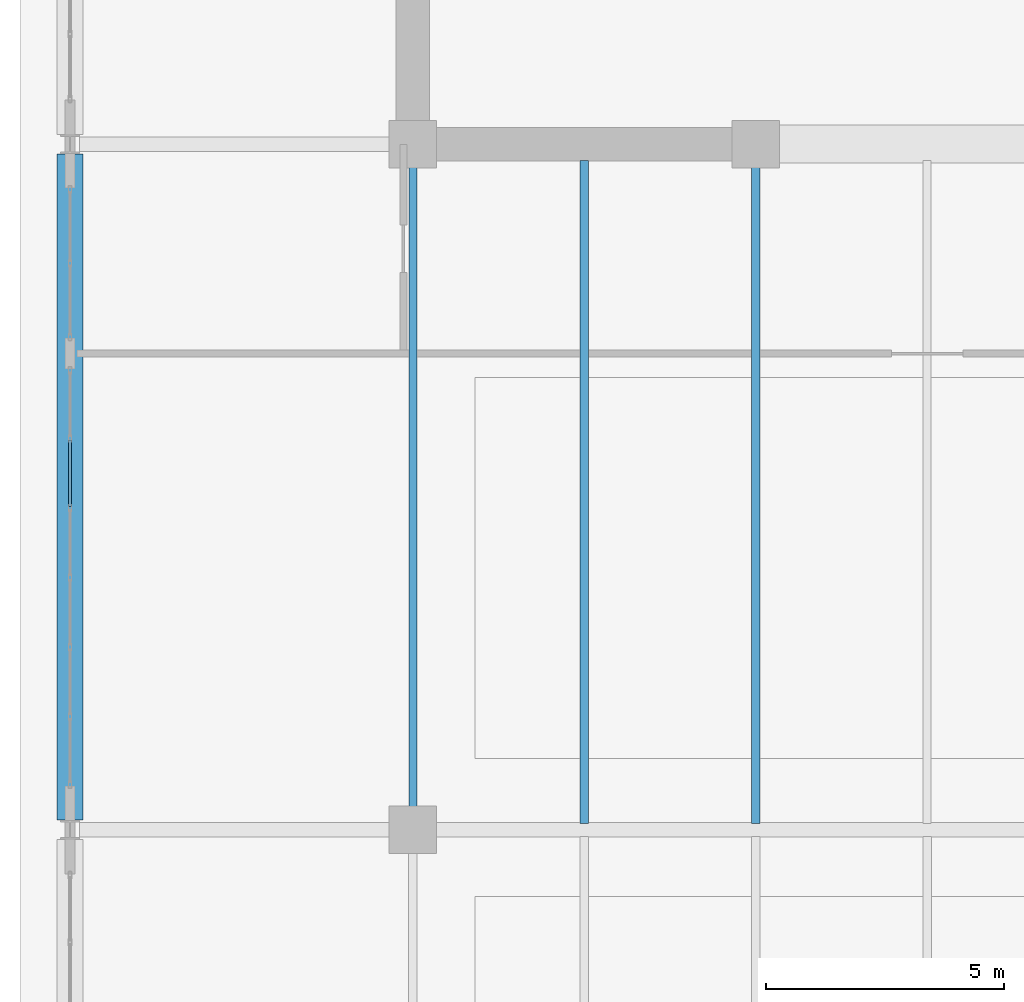
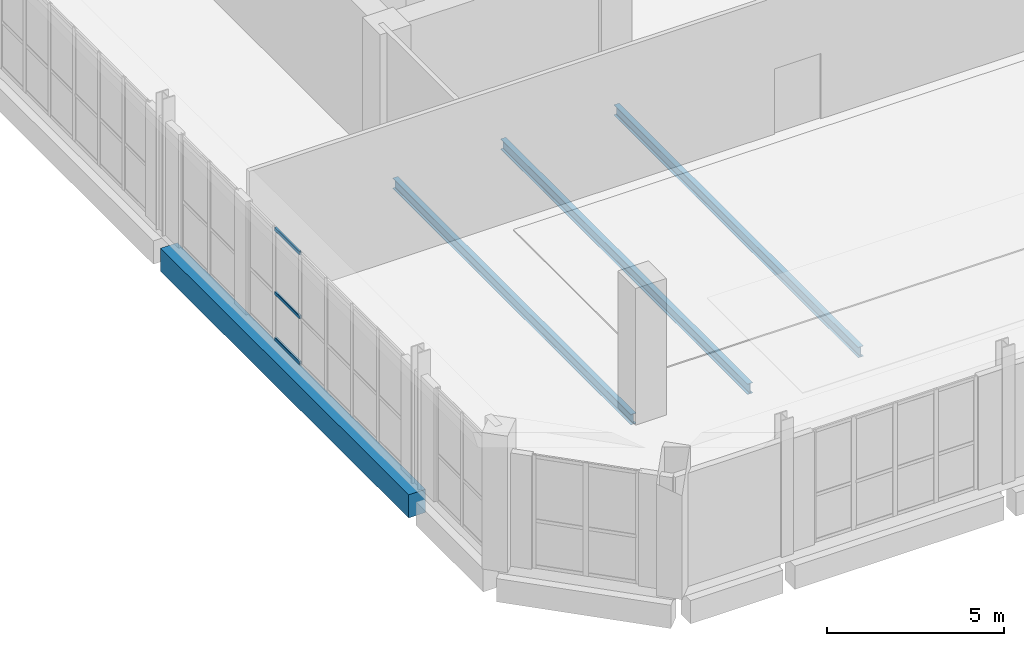
# One storey, part 7 of 36: 4 beams, 3 members, 1 element without a shape of its own.
"""IFC4 building model written with IfcOpenShell, lengths in metres."""

from ifc_helpers import new_model, si_unit, direction, frame, origin, origin_2d, place, context, subcontext, project, spatial, rectangle, hollow_rectangle, i_section, extrude, material, layer, layer_set, material_profile, profile_set, type_object, element, aggregate, save


model = new_model("IFC4")

# Units and contexts
model_context = context("Model", 3, precision=1e-05, world=origin(), true_north=direction((0.0, 1.0)))
body_context = subcontext(model_context, "Body", "Model", "MODEL_VIEW")
ifc_project = project(units=[si_unit("LENGTHUNIT", "METRE"), si_unit("AREAUNIT", "SQUARE_METRE"), si_unit("VOLUMEUNIT", "CUBIC_METRE"), si_unit("PLANEANGLEUNIT", "RADIAN"), si_unit("MASSUNIT", "GRAM", prefix="KILO")], contexts=[model_context])

# Site, building, storey
site_placement = place(None, origin())
site = spatial("IfcSite", under=ifc_project, at=site_placement, CompositionType="ELEMENT")
building_placement = place(site_placement, origin())
building = spatial("IfcBuilding", under=site, at=building_placement, Name="Kaelvorn Grand Hotel", CompositionType="ELEMENT")
storey_placement = place(building_placement, frame((0.0, 0.0, 305.699951171875)))
storey = spatial("IfcBuildingStorey", under=building, at=storey_placement, Name="L74", CompositionType="ELEMENT", Elevation=305.699951171875)

# Beams
ifc_material_1 = material(Name="Steel S355", Category="steel")
ifc_material_profile_1 = material_profile(ifc_material_1, i_section(OverallWidth=0.169921875, OverallDepth=0.360107421875, WebThickness=0.008056640625, FlangeThickness=0.0126953125, FilletRadius=0.01806640625, at=origin_2d()), Name="IPE 360")
ifc_profile_set_1 = profile_set([ifc_material_profile_1], Name="Steel S355")
beam_type_1 = type_object("IfcBeamType", Name="BM-J-IPE360-S355", PredefinedType="JOIST", material=ifc_profile_set_1)
beam_1_placement = place(storey_placement, frame((16.199951171875, 15.485107421875, -0.56005859375), z_axis=(0.0, 1.0, 0.0), x_axis=(-1.0, 0.0, 0.0)))
element("IfcBeam", 1, at=beam_1_placement, inside=storey, type_object=beam_type_1, Name="L74 Composite Floor Joist JM-05", PredefinedType="JOIST", context=body_context, shape_type="SweptSolid", body=[
    extrude(i_section(OverallWidth=0.169921875, OverallDepth=0.360107421875, WebThickness=0.008056640625, FlangeThickness=0.0126953125, FilletRadius=0.01806640625, at=origin_2d()), origin(), (0.0, 0.0, 1.0), 13.429931640625),
])
beam_2_placement = place(storey_placement, frame((19.800048828125, 15.135986328125, -0.56005859375), z_axis=(0.0, 1.0, 0.0), x_axis=(-1.0, 0.0, 0.0)))
element("IfcBeam", 2, at=beam_2_placement, inside=storey, type_object=beam_type_1, Name="L74 Composite Floor Joist JM-06", PredefinedType="JOIST", context=body_context, shape_type="SweptSolid", body=[
    extrude(i_section(OverallWidth=0.169921875, OverallDepth=0.360107421875, WebThickness=0.008056640625, FlangeThickness=0.0126953125, FilletRadius=0.01806640625, at=origin_2d()), origin(), (0.0, 0.0, 1.0), 13.924072265625),
])
beam_3_placement = place(storey_placement, frame((23.39990234375, 15.135986328125, -0.56005859375), z_axis=(0.0, 1.0, 0.0), x_axis=(-1.0, 0.0, 0.0)))
element("IfcBeam", 3, at=beam_3_placement, inside=storey, type_object=beam_type_1, Name="L74 Composite Floor Joist JM-07", PredefinedType="JOIST", context=body_context, shape_type="SweptSolid", body=[
    extrude(i_section(OverallWidth=0.169921875, OverallDepth=0.360107421875, WebThickness=0.008056640625, FlangeThickness=0.0126953125, FilletRadius=0.01806640625, at=origin_2d()), origin(), (0.0, 0.0, 1.0), 13.779052734375),
])
ifc_material_2 = material(Name="Concrete C50/60", Category="concrete")
ifc_material_profile_2 = material_profile(ifc_material_2, rectangle(XDim=0.550048828125, YDim=0.800048828125, at=origin_2d()), Name="RC SPANDREL 550x800")
ifc_profile_set_2 = profile_set([ifc_material_profile_2], Name="Concrete C50/60")
beam_type_2 = type_object("IfcBeamType", Name="BM-SP-550x800-C50", PredefinedType="SPANDREL", material=ifc_profile_set_2)
beam_4_placement = place(storey_placement, frame((9.0, 15.205078125, -0.780029296875), z_axis=(0.0, 1.0, 0.0), x_axis=(-1.0, 0.0, 0.0)))
element("IfcBeam", 4, at=beam_4_placement, inside=storey, type_object=beam_type_2, Name="L74 West Perimeter Spandrel 02", PredefinedType="SPANDREL", context=body_context, shape_type="SweptSolid", body=[
    extrude(rectangle(XDim=0.550048828125, YDim=0.800048828125, at=origin_2d()), origin(), (0.0, 0.0, 1.0), 13.989990234375),
])

# Curtain wall, members
ifc_material_3 = material(Name="Anodised Aluminium", Category="aluminium")
ifc_layer = layer(ifc_material_3, 0.159912109375)
ifc_layer_set = layer_set([ifc_layer], Name="Anodised Aluminium")
curtain_wall_type = type_object("IfcCurtainWallType", Name="CW-SYS6", PredefinedType="NOTDEFINED", material=ifc_layer_set)
curtain_wall_placement = place(storey_placement, origin())
curtain_wall = element("IfcCurtainWall", 5, at=curtain_wall_placement, inside=storey, type_object=curtain_wall_type, Name="L74 Unitised Curtain Wall CW6 (CW-L74-W-02)", PredefinedType="NOTDEFINED")
ifc_material_profile_3 = material_profile(ifc_material_3, hollow_rectangle(XDim=0.06494140625, YDim=0.1201171875, WallThickness=0.00341796875, InnerFilletRadius=0.00341796875, OuterFilletRadius=0.007080078125, at=origin_2d()), Name="ALU TRAN 65x120")
ifc_profile_set_3 = profile_set([ifc_material_profile_3], Name="Anodised Aluminium")
member_type = type_object("IfcMemberType", Name="CW-SYS6-TRAN", PredefinedType="NOTDEFINED", material=ifc_profile_set_3)
member_1_placement = place(storey_placement, frame((9.0, 23.1875, 0.06005859375), z_axis=(0.0, -1.0, 0.0), x_axis=(1.0, 0.0, 0.0)))
member_1 = element("IfcMember", 6, at=member_1_placement, type_object=member_type, Name="CW6 transom 2.1", ObjectType="TRANSOM", PredefinedType="USERDEFINED", context=body_context, shape_type="SweptSolid", body=[
    extrude(hollow_rectangle(XDim=0.06494140625, YDim=0.1201171875, WallThickness=0.00341796875, InnerFilletRadius=0.00341796875, OuterFilletRadius=0.007080078125, at=origin_2d()), origin(), (0.0, 0.0, 1.0), 1.39501953125),
])
member_2_placement = place(storey_placement, frame((9.0, 23.1875, 1.637939453125), z_axis=(0.0, -1.0, 0.0), x_axis=(1.0, 0.0, 0.0)))
member_2 = element("IfcMember", 7, at=member_2_placement, type_object=member_type, Name="CW6 transom 2.2", ObjectType="TRANSOM", PredefinedType="USERDEFINED", context=body_context, shape_type="SweptSolid", body=[
    extrude(hollow_rectangle(XDim=0.06494140625, YDim=0.1201171875, WallThickness=0.00341796875, InnerFilletRadius=0.00341796875, OuterFilletRadius=0.007080078125, at=origin_2d()), origin(), (0.0, 0.0, 1.0), 1.39501953125),
])
member_3_placement = place(storey_placement, frame((9.0, 23.1875, 3.840087890625), z_axis=(0.0, -1.0, 0.0), x_axis=(1.0, 0.0, 0.0)))
member_3 = element("IfcMember", 8, at=member_3_placement, type_object=member_type, Name="CW6 transom 2.3", ObjectType="TRANSOM", PredefinedType="USERDEFINED", context=body_context, shape_type="SweptSolid", body=[
    extrude(hollow_rectangle(XDim=0.06494140625, YDim=0.1201171875, WallThickness=0.00341796875, InnerFilletRadius=0.00341796875, OuterFilletRadius=0.007080078125, at=origin_2d()), origin(), (0.0, 0.0, 1.0), 1.39501953125),
])
aggregate(curtain_wall, [member_1, member_2, member_3])

save(model, "model.ifc")
